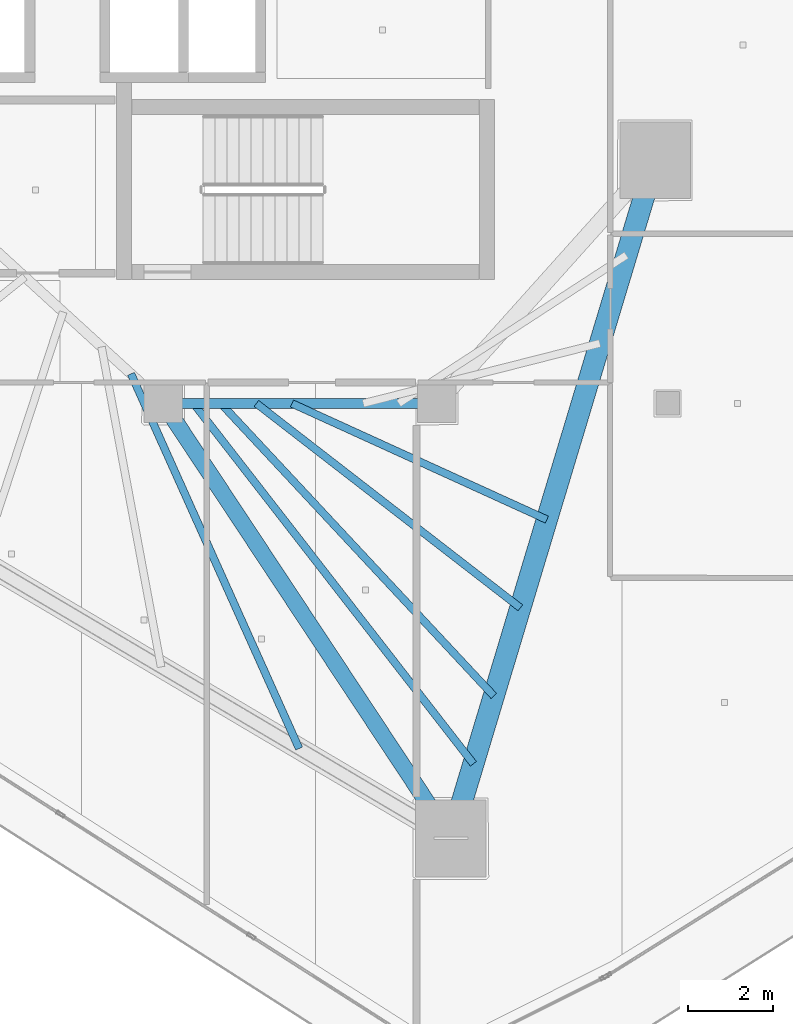
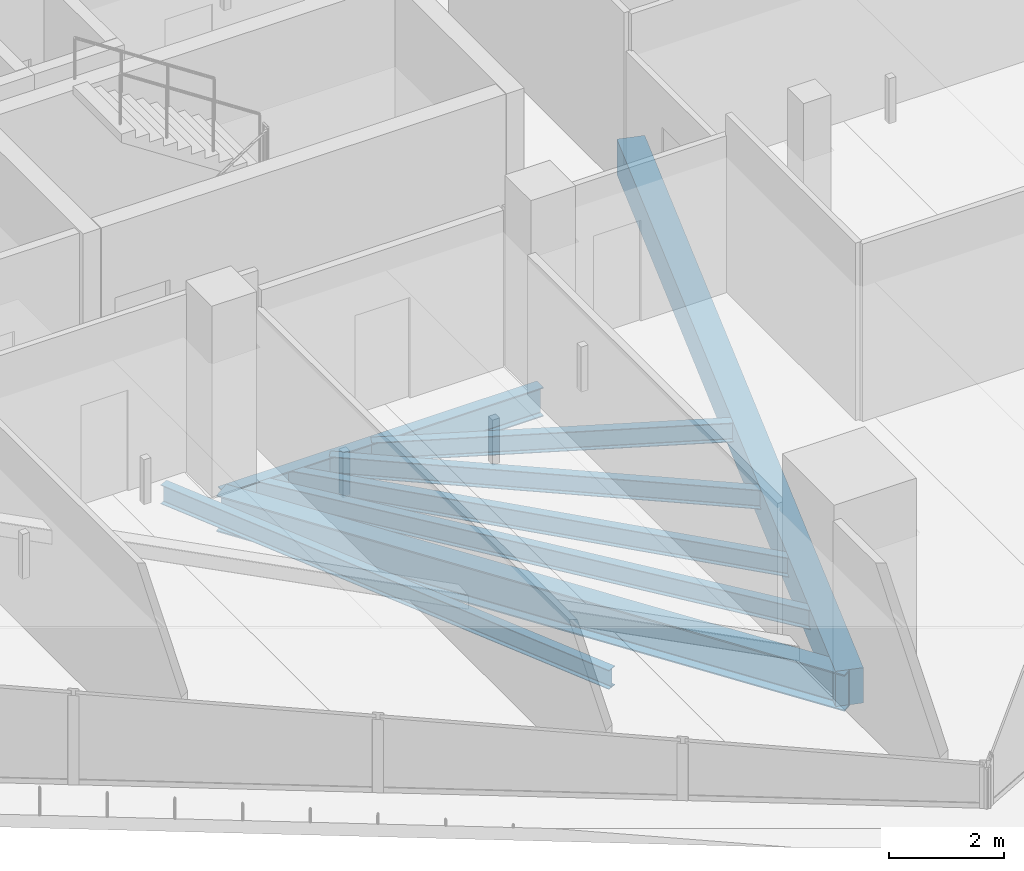
# One storey, part 12 of 40: 8 beams.
"""IFC4 building model written with IfcOpenShell, lengths in metres."""

from ifc_helpers import new_model, si_unit, direction, frame, origin, origin_2d, place, context, subcontext, project, spatial, rectangle, i_section, extrude, material, material_profile, profile_set, type_object, element, save


model = new_model("IFC4")

# Units and contexts
model_context = context("Model", 3, precision=1e-05, world=origin(), true_north=direction((0.0, 1.0)))
body_context = subcontext(model_context, "Body", "Model", "MODEL_VIEW")
ifc_project = project(units=[si_unit("LENGTHUNIT", "METRE"), si_unit("AREAUNIT", "SQUARE_METRE"), si_unit("VOLUMEUNIT", "CUBIC_METRE"), si_unit("PLANEANGLEUNIT", "RADIAN"), si_unit("MASSUNIT", "GRAM", prefix="KILO")], contexts=[model_context])

# Site, building, storey
site_placement = place(None, origin())
site = spatial("IfcSite", under=ifc_project, at=site_placement, CompositionType="ELEMENT")
building_placement = place(site_placement, origin())
building = spatial("IfcBuilding", under=site, at=building_placement, Name="Qorvath Tower", CompositionType="ELEMENT")
storey_placement = place(building_placement, frame((0.0, 0.0, 225.300048828125)))
storey = spatial("IfcBuildingStorey", under=building, at=storey_placement, Name="L52", CompositionType="ELEMENT", Elevation=225.300048828125)

# Beams
ifc_material_1 = material(Name="Steel ASTM A992 Grade 50", Category="steel")
ifc_material_profile_1 = material_profile(ifc_material_1, i_section(OverallWidth=0.381103515625, OverallDepth=0.77294921875, WebThickness=0.0166015625, FlangeThickness=0.027099609375, FilletRadius=0.01904296875, at=origin_2d()), Name="W30x173")
ifc_profile_set_1 = profile_set([ifc_material_profile_1], Name="Steel ASTM A992 Grade 50")
beam_type_1 = type_object("IfcBeamType", Name="BM-FG3", PredefinedType="BEAM", material=ifc_profile_set_1)
beam_1_placement = place(storey_placement, frame((-23.60009765625, -11.449951171875, -0.656494140625), z_axis=(0.551500517741, -0.834174549439, 0.0), x_axis=(0.834174549439, 0.551500517741, 0.0)))
element("IfcBeam", 1, at=beam_1_placement, inside=storey, type_object=beam_type_1, Name="Radial Floor Girder CC4-MC3 L52", PredefinedType="BEAM", context=body_context, shape_type="SweptSolid", body=[
    extrude(i_section(OverallWidth=0.381103515625, OverallDepth=0.77294921875, WebThickness=0.0166015625, FlangeThickness=0.027099609375, FilletRadius=0.01904296875, at=origin_2d()), origin(), (0.0, 0.0, 1.0), 12.200439453125),
])
ifc_material_2 = material(Name="Steel ASTM A992 Grade 50", Category="steel")
ifc_material_profile_2 = material_profile(ifc_material_2, i_section(OverallWidth=0.22998046875, OverallDepth=0.616943359375, WebThickness=0.01318359375, FlangeThickness=0.022216796875, FilletRadius=0.014892578125, at=origin_2d()), Name="W24x94")
ifc_profile_set_2 = profile_set([ifc_material_profile_2], Name="Steel ASTM A992 Grade 50")
beam_type_2 = type_object("IfcBeamType", Name="BM-FG6", PredefinedType="BEAM", material=ifc_profile_set_2)
beam_2_placement = place(storey_placement, frame((-17.199951171875, -11.449951171875, -0.57861328125), z_axis=(-1.0, 0.0, 0.0), x_axis=(0.0, -1.0, 0.0)))
element("IfcBeam", 2, at=beam_2_placement, inside=storey, type_object=beam_type_2, Name="Core Ring Girder CC3-CC4 L52", PredefinedType="BEAM", context=body_context, shape_type="SweptSolid", body=[
    extrude(i_section(OverallWidth=0.22998046875, OverallDepth=0.616943359375, WebThickness=0.01318359375, FlangeThickness=0.022216796875, FilletRadius=0.014892578125, at=origin_2d()), origin(), (0.0, 0.0, 1.0), 6.400146484375),
])
ifc_material_3 = material(Name="Steel ASTM A992 Grade 50", Category="steel")
ifc_material_profile_3 = material_profile(ifc_material_3, i_section(OverallWidth=0.177978515625, OverallDepth=0.406005859375, WebThickness=0.0078125, FlangeThickness=0.0126953125, FilletRadius=0.010986328125, at=origin_2d()), Name="W16x40")
ifc_profile_set_3 = profile_set([ifc_material_profile_3], Name="Steel ASTM A992 Grade 50")
beam_type_3 = type_object("IfcBeamType", Name="BM-FJ3", PredefinedType="JOIST", material=ifc_profile_set_3)
beam_3_placement = place(storey_placement, frame((-20.592041015625, -11.449951171875, -0.47314453125), z_axis=(0.909945081179, -0.414728765868, 0.0), x_axis=(0.414728765868, 0.909945081179, 0.0)))
element("IfcBeam", 3, at=beam_3_placement, inside=storey, type_object=beam_type_3, Name="Composite Floor Joist SE4 L52", PredefinedType="JOIST", context=body_context, shape_type="SweptSolid", body=[
    extrude(i_section(OverallWidth=0.177978515625, OverallDepth=0.406005859375, WebThickness=0.0078125, FlangeThickness=0.0126953125, FilletRadius=0.010986328125, at=origin_2d()), origin(), (0.0, 0.0, 1.0), 6.554931640625),
])
beam_4_placement = place(storey_placement, frame((-21.424072265625, -11.449951171875, -0.47314453125), z_axis=(0.790693445503, -0.612212279555, 0.0), x_axis=(0.612212279555, 0.790693445503, 0.0)))
element("IfcBeam", 4, at=beam_4_placement, inside=storey, type_object=beam_type_3, Name="Composite Floor Joist SE5 L52", PredefinedType="JOIST", context=body_context, shape_type="SweptSolid", body=[
    extrude(i_section(OverallWidth=0.177978515625, OverallDepth=0.406005859375, WebThickness=0.0078125, FlangeThickness=0.0126953125, FilletRadius=0.010986328125, at=origin_2d()), origin(), (0.0, 0.0, 1.0), 7.810546875),
])
beam_5_placement = place(storey_placement, frame((-22.256103515625, -11.449951171875, -0.47314453125), z_axis=(0.682249490937, -0.731119437654, 0.0), x_axis=(0.731119437654, 0.682249490937, 0.0)))
element("IfcBeam", 5, at=beam_5_placement, inside=storey, type_object=beam_type_3, Name="Composite Floor Joist SE6 L52", PredefinedType="JOIST", context=body_context, shape_type="SweptSolid", body=[
    extrude(i_section(OverallWidth=0.177978515625, OverallDepth=0.406005859375, WebThickness=0.0078125, FlangeThickness=0.0126953125, FilletRadius=0.010986328125, at=origin_2d()), origin(), (0.0, 0.0, 1.0), 9.362060546875),
])
beam_6_placement = place(storey_placement, frame((-22.89599609375, -11.449951171875, -0.47314453125), z_axis=(0.61345131907, -0.789732536452, 0.0), x_axis=(0.789732536452, 0.61345131907, 0.0)))
element("IfcBeam", 6, at=beam_6_placement, inside=storey, type_object=beam_type_3, Name="Composite Floor Joist SE7 L52", PredefinedType="JOIST", context=body_context, shape_type="SweptSolid", body=[
    extrude(i_section(OverallWidth=0.177978515625, OverallDepth=0.406005859375, WebThickness=0.0078125, FlangeThickness=0.0126953125, FilletRadius=0.010986328125, at=origin_2d()), origin(), (0.0, 0.0, 1.0), 10.676513671875),
])
beam_7_placement = place(storey_placement, frame((-24.35888671875, -10.757080078125, -0.47314453125), z_axis=(0.409327209141, -0.912387656568, 0.0), x_axis=(0.912387656568, 0.409327209141, 0.0)))
element("IfcBeam", 7, at=beam_7_placement, inside=storey, type_object=beam_type_3, Name="Composite Floor Joist SW7 L52", PredefinedType="JOIST", context=body_context, shape_type="SweptSolid", body=[
    extrude(i_section(OverallWidth=0.177978515625, OverallDepth=0.406005859375, WebThickness=0.0078125, FlangeThickness=0.0126953125, FilletRadius=0.010986328125, at=origin_2d()), origin(), (0.0, 0.0, 1.0), 9.611083984375),
])
ifc_material_4 = material(Name="Concrete C45/55", Category="concrete")
ifc_material_profile_4 = material_profile(ifc_material_4, rectangle(XDim=0.5, YDim=0.75, at=origin_2d()), Name="RCB 750x500")
ifc_profile_set_4 = profile_set([ifc_material_profile_4], Name="Concrete C45/55")
beam_type_4 = type_object("IfcBeamType", Name="BM-RCB3", PredefinedType="SPANDREL", material=ifc_profile_set_4)
beam_8_placement = place(storey_placement, frame((-16.87158203125, -21.627197265625, -0.64501953125), z_axis=(0.28812763802, 0.957592013443, 0.0), x_axis=(-0.957592013443, 0.28812763802, 0.0)))
element("IfcBeam", 8, at=beam_8_placement, inside=storey, type_object=beam_type_4, Name="Perimeter Loggia Frame Beam MC3-MC4 L52", PredefinedType="SPANDREL", context=body_context, shape_type="SweptSolid", body=[
    extrude(rectangle(XDim=0.5, YDim=0.75, at=origin_2d()), origin(), (0.0, 0.0, 1.0), 16.572265625),
])

save(model, "model.ifc")
